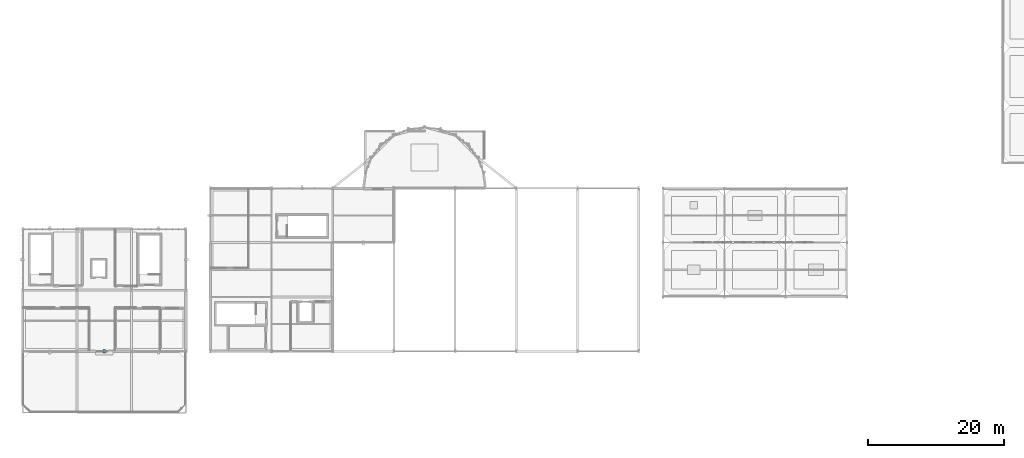
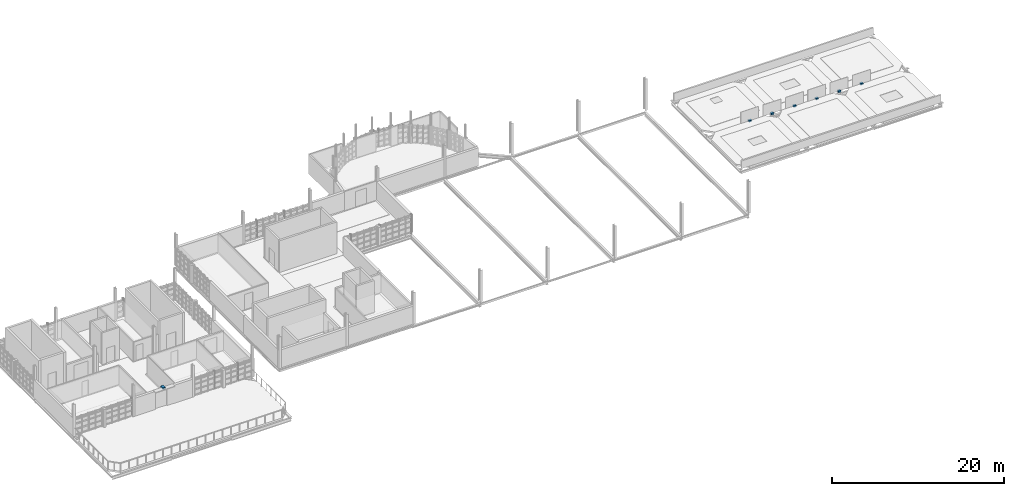
# One storey, part 41 of 44: 7 discrete accessories.
"""IFC4 building model written with IfcOpenShell, lengths in metres."""

from ifc_helpers import new_model, si_unit, direction, frame, origin, origin_2d, place, context, subcontext, project, spatial, rectangle, extrude, material, layer, layer_set, type_object, element, save


model = new_model("IFC4")

# Units and contexts
model_context = context("Model", 3, precision=1e-05, world=origin(), true_north=direction((0.0, 1.0)))
body_context = subcontext(model_context, "Body", "Model", "MODEL_VIEW")
ifc_project = project(units=[si_unit("LENGTHUNIT", "METRE"), si_unit("AREAUNIT", "SQUARE_METRE"), si_unit("VOLUMEUNIT", "CUBIC_METRE"), si_unit("PLANEANGLEUNIT", "RADIAN"), si_unit("MASSUNIT", "GRAM", prefix="KILO")], contexts=[model_context])

# Site, building, storey
site_placement = place(None, origin())
site = spatial("IfcSite", under=ifc_project, at=site_placement, CompositionType="ELEMENT")
building_placement = place(site_placement, origin())
building = spatial("IfcBuilding", under=site, at=building_placement, Name="Serraforn Aerial Cableway Station", CompositionType="ELEMENT")
storey_placement = place(building_placement, frame((0.0, 0.0, 13.800048828125)))
storey = spatial("IfcBuildingStorey", under=building, at=storey_placement, Name="L03", CompositionType="ELEMENT", Elevation=13.800048828125)

# Discrete accessories
ifc_material = material(Name="Steel S355J2", Category="steel")
ifc_layer = layer(ifc_material, 0.280029296875)
ifc_layer_set = layer_set([ifc_layer], Name="Steel S355J2")
discrete_accessory_type = type_object("IfcDiscreteAccessoryType", Name="BRK-STEEL", PredefinedType="BRACKET", material=ifc_layer_set)
discrete_accessory_placement = place(storey_placement, frame((12.0, 18.0, 2.52978515625), z_axis=(0.0, 0.0, 1.0), x_axis=(1.0, 0.0, 0.0)))
element("IfcDiscreteAccessory", 1, at=discrete_accessory_placement, inside=storey, type_object=discrete_accessory_type, Name="Sunshade Fixing Bracket 07", PredefinedType="BRACKET", context=body_context, shape_type="SweptSolid", body=[
    extrude(rectangle(XDim=0.35009765625, YDim=0.52001953125, at=origin_2d()), origin(), (0.0, 0.0, 1.0), 0.239990234375),
])
for number, where, z_axis, x_axis, name in (
    (2, (100.0, 34.0, -0.1201171875), (0.0, 0.0, 1.0), (1.0, 0.0, 0.0), "Plant Screen Base Cleat 01"),
    (3, (103.0, 34.0, -0.1201171875), (0.0, 0.0, 1.0), (1.0, 0.0, 0.0), "Plant Screen Base Cleat 02"),
    (4, (106.0, 34.0, -0.1201171875), (0.0, 0.0, 1.0), (1.0, 0.0, 0.0), "Plant Screen Base Cleat 03"),
    (5, (109.0, 34.0, -0.1201171875), (0.0, 0.0, 1.0), (1.0, 0.0, 0.0), "Plant Screen Base Cleat 04"),
    (6, (112.0, 34.0, -0.1201171875), (0.0, 0.0, 1.0), (1.0, 0.0, 0.0), "Plant Screen Base Cleat 05"),
    (7, (115.0, 34.0, -0.1201171875), (0.0, 0.0, 1.0), (1.0, 0.0, 0.0), "Plant Screen Base Cleat 06"),
):
    element("IfcDiscreteAccessory", number, at=place(storey_placement, frame(where, z_axis=z_axis, x_axis=x_axis)), inside=storey, type_object=discrete_accessory_type, Name=name, PredefinedType="BRACKET", context=body_context, shape_type="SweptSolid", body=[
        extrude(rectangle(XDim=0.35009765625, YDim=0.320068359375, at=origin_2d()), origin(), (0.0, 0.0, 1.0), 0.239990234375),
    ])

save(model, "model.ifc")
